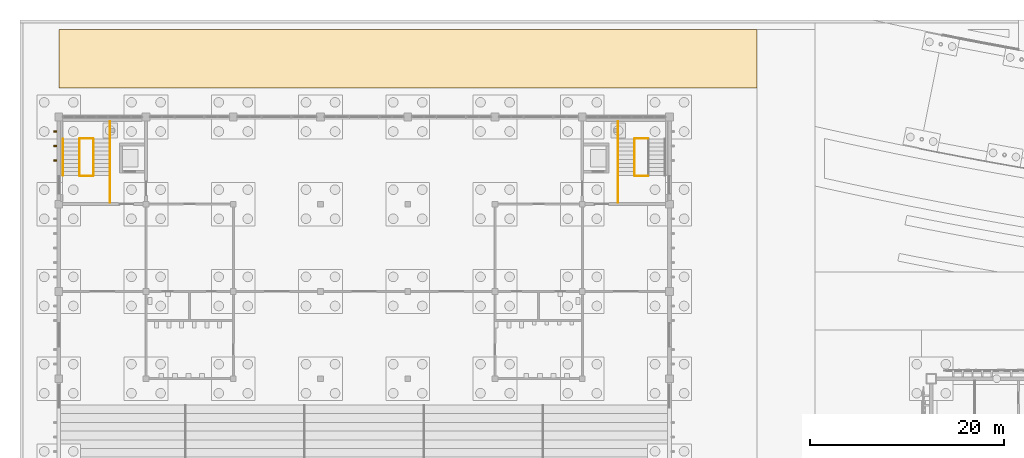
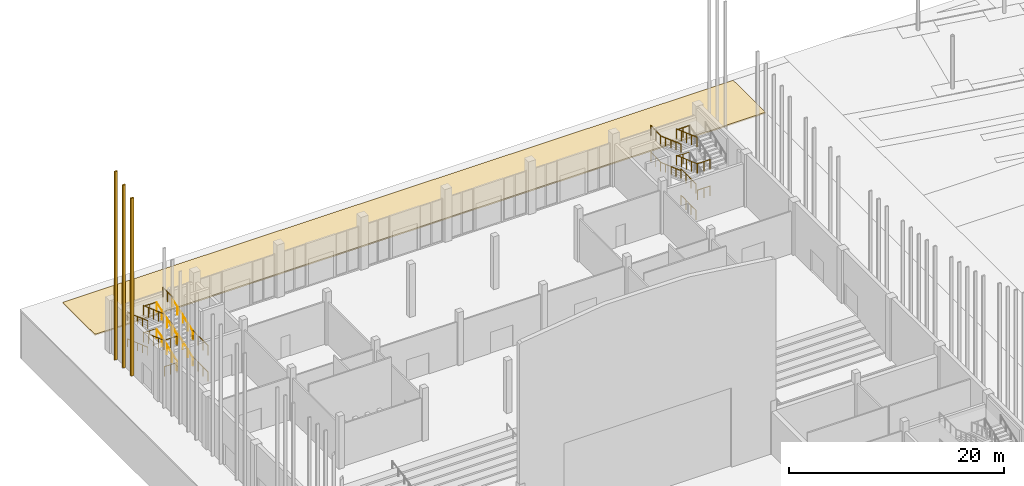
# One storey, part 167 of 198: 28 railings, 4 coverings.
"""IFC4 building model written with IfcOpenShell, lengths in metres."""

from ifc_helpers import new_model, si_unit, direction, frame, origin, origin_2d, place, context, subcontext, project, spatial, polyline, rectangle, circle, outline, extrude, material, layer, layer_set, constituent, constituent_set, type_object, element, save


model = new_model("IFC4")

# Units and contexts
model_context = context("Model", 3, precision=1e-05, world=origin(), true_north=direction((0.0, 1.0)))
body_context = subcontext(model_context, "Body", "Model", "MODEL_VIEW")
ifc_project = project(units=[si_unit("LENGTHUNIT", "METRE"), si_unit("AREAUNIT", "SQUARE_METRE"), si_unit("VOLUMEUNIT", "CUBIC_METRE"), si_unit("PLANEANGLEUNIT", "RADIAN"), si_unit("MASSUNIT", "GRAM", prefix="KILO")], contexts=[model_context])

# Site, building, storey
site_placement = place(None, origin())
site = spatial("IfcSite", under=ifc_project, at=site_placement, CompositionType="ELEMENT")
building_placement = place(site_placement, origin())
building = spatial("IfcBuilding", under=site, at=building_placement, Name="Opaline Strait Convention Centre", CompositionType="ELEMENT")
storey_placement = place(building_placement, origin())
storey = spatial("IfcBuildingStorey", under=building, at=storey_placement, Name="L00", CompositionType="ELEMENT", Elevation=0.0)

# Coverings
ifc_material_1 = material(Name="Concrete C30 red oxide", Category="concrete")
ifc_layer_1 = layer(ifc_material_1, 0.14990234375)
ifc_layer_set_1 = layer_set([ifc_layer_1], Name="Concrete C30 red oxide")
covering_type_1 = type_object("IfcCoveringType", Name="Fire lane concrete paving 150 C30", PredefinedType="FLOORING", material=ifc_layer_set_1)
covering_1_placement = place(storey_placement, frame((0.0, 0.0, -0.14990234375)))
element("IfcCovering", 1, at=covering_1_placement, inside=storey, type_object=covering_type_1, Name="External Fire Appliance Lane Plenary North surfacing", PredefinedType="FLOORING", context=body_context, shape_type="SweptSolid", body=[
    extrude(outline(polyline([(81.0, 189.0), (9.0, 189.0), (9.0, 183.0), (81.0, 183.0), (81.0, 189.0)])), origin(), (0.0, 0.0, 1.0), 0.14990234375),
])
ifc_material_2 = material(Name="Glass fibre reinforced concrete, white", Category="concrete")
ifc_layer_2 = layer(ifc_material_2, 0.300048828125)
ifc_layer_set_2 = layer_set([ifc_layer_2], Name="Glass fibre reinforced concrete, white")
covering_type_2 = type_object("IfcCoveringType", Name="GRC rib 150 x 300", PredefinedType="CLADDING", material=ifc_layer_set_2)
covering_2_placement = place(storey_placement, frame((8.64990234375, 175.5, 0.0), z_axis=(0.0, 0.0, 1.0), x_axis=(1.0, 0.0, 0.0)))
element("IfcCovering", 2, at=covering_2_placement, inside=storey, type_object=covering_type_2, Name="PX1 rib west 39", PredefinedType="CLADDING", context=body_context, shape_type="SweptSolid", body=[
    extrude(rectangle(XDim=0.300048828125, YDim=0.14990234375, at=origin_2d()), origin(), (0.0, 0.0, 1.0), 20.182861328125),
])
covering_3_placement = place(storey_placement, frame((8.64990234375, 177.0, 0.0), z_axis=(0.0, 0.0, 1.0), x_axis=(1.0, 0.0, 0.0)))
element("IfcCovering", 3, at=covering_3_placement, inside=storey, type_object=covering_type_2, Name="PX1 rib west 40", PredefinedType="CLADDING", context=body_context, shape_type="SweptSolid", body=[
    extrude(rectangle(XDim=0.300048828125, YDim=0.14990234375, at=origin_2d()), origin(), (0.0, 0.0, 1.0), 20.770263671875),
])
covering_4_placement = place(storey_placement, frame((8.64990234375, 178.5, 0.0), z_axis=(0.0, 0.0, 1.0), x_axis=(1.0, 0.0, 0.0)))
element("IfcCovering", 4, at=covering_4_placement, inside=storey, type_object=covering_type_2, Name="PX1 rib west 41", PredefinedType="CLADDING", context=body_context, shape_type="SweptSolid", body=[
    extrude(rectangle(XDim=0.300048828125, YDim=0.14990234375, at=origin_2d()), origin(), (0.0, 0.0, 1.0), 21.38916015625),
])

# Railings
ifc_material_3 = material(Name="Steel Q355B", Category="steel")
ifc_constituent_1 = constituent(ifc_material_3, Name="Frame")
ifc_material_4 = material(Name="Safety glass, bonded interlayer", Category="glass")
ifc_constituent_2 = constituent(ifc_material_4, Name="Infill")
ifc_constituent_set = constituent_set(constituents=[ifc_constituent_1, ifc_constituent_2], Name="Steel Q355B, Safety glass, bonded interlayer")
railing_type_1 = type_object("IfcRailingType", Name="Seating guard 1100 steel and glass", PredefinedType="GUARDRAIL", material=ifc_constituent_set)
railing_1_placement = place(storey_placement, frame((12.60009765625, 173.949951171875, 0.14990234375)))
element("IfcRailing", 5, at=railing_1_placement, inside=storey, type_object=railing_type_1, Name="L00 PSR3 stair guard 1", PredefinedType="GUARDRAIL", context=body_context, shape_type="SweptSolid", body=[
    extrude(circle(Radius=0.02392578125, at=origin_2d()), frame((0.0, 0.0, 1.076171875), z_axis=(0.0, 0.941735030876, 0.336355662388), x_axis=(-1.0, 0.0, 0.0)), (0.0, 0.0, 1.0), 4.013916015625),
    extrude(circle(Radius=0.02099609375, at=origin_2d()), origin(), (0.0, 0.0, 1.0), 1.052001953125),
    extrude(circle(Radius=0.02099609375, at=origin_2d()), frame((0.0, 0.945068359375, 0.33740234375)), (0.0, 0.0, 1.0), 1.052001953125),
    extrude(circle(Radius=0.02099609375, at=origin_2d()), frame((0.0, 1.89013671875, 0.675048828125)), (0.0, 0.0, 1.0), 1.052001953125),
    extrude(circle(Radius=0.02099609375, at=origin_2d()), frame((0.0, 2.8349609375, 1.0126953125)), (0.0, 0.0, 1.0), 1.052001953125),
    extrude(circle(Radius=0.02099609375, at=origin_2d()), frame((0.0, 3.780029296875, 1.35009765625)), (0.0, 0.0, 1.0), 1.052001953125),
])
railing_2_placement = place(storey_placement, frame((12.550048828125, 177.780029296875, 1.5)))
element("IfcRailing", 6, at=railing_2_placement, inside=storey, type_object=railing_type_1, Name="L00 PSR3 stair guard 2", PredefinedType="GUARDRAIL", context=body_context, shape_type="SweptSolid", body=[
    extrude(circle(Radius=0.02392578125, at=origin_2d()), frame((0.0, 0.0, 1.076171875), z_axis=(-1.0, 0.0, 0.0), x_axis=(0.0, -1.0, 0.0)), (0.0, 0.0, 1.0), 1.35009765625),
    extrude(circle(Radius=0.02099609375, at=origin_2d()), origin(), (0.0, 0.0, 1.0), 1.052001953125),
    extrude(circle(Radius=0.02099609375, at=origin_2d()), frame((-0.675048828125, 0.0, 0.0)), (0.0, 0.0, 1.0), 1.052001953125),
    extrude(circle(Radius=0.02099609375, at=origin_2d()), frame((-1.35009765625, 0.0, 0.0)), (0.0, 0.0, 1.0), 1.052001953125),
])
railing_3_placement = place(storey_placement, frame((14.300048828125, 177.72998046875, 1.5)))
element("IfcRailing", 7, at=railing_3_placement, inside=storey, type_object=railing_type_1, Name="L00 PSR3 stair guard 3", PredefinedType="GUARDRAIL", context=body_context, shape_type="SweptSolid", body=[
    extrude(circle(Radius=0.02392578125, at=origin_2d()), frame((0.0, 0.0, 1.076171875), z_axis=(0.0, 1.0, 0.0), x_axis=(-1.0, 0.0, 0.0)), (0.0, 0.0, 1.0), 1.820068359375),
    extrude(circle(Radius=0.02099609375, at=origin_2d()), origin(), (0.0, 0.0, 1.0), 1.052001953125),
    extrude(circle(Radius=0.02099609375, at=origin_2d()), frame((0.0, 0.91015625, 0.0)), (0.0, 0.0, 1.0), 1.052001953125),
    extrude(circle(Radius=0.02099609375, at=origin_2d()), frame((0.0, 1.820068359375, 0.0)), (0.0, 0.0, 1.0), 1.052001953125),
])
railing_4_placement = place(storey_placement, frame((11.14990234375, 177.72998046875, 1.64990234375)))
element("IfcRailing", 8, at=railing_4_placement, inside=storey, type_object=railing_type_1, Name="L00 PSR3 stair guard 4", PredefinedType="GUARDRAIL", context=body_context, shape_type="SweptSolid", body=[
    extrude(circle(Radius=0.02392578125, at=origin_2d()), frame((0.0, 0.0, 1.076171875), z_axis=(0.0, -0.941735030876, 0.336355662388), x_axis=(1.0, 0.0, 0.0)), (0.0, 0.0, 1.0), 4.013916015625),
    extrude(circle(Radius=0.02099609375, at=origin_2d()), origin(), (0.0, 0.0, 1.0), 1.052001953125),
    extrude(circle(Radius=0.02099609375, at=origin_2d()), frame((0.0, -0.945068359375, 0.33740234375)), (0.0, 0.0, 1.0), 1.052001953125),
    extrude(circle(Radius=0.02099609375, at=origin_2d()), frame((0.0, -1.89013671875, 0.675048828125)), (0.0, 0.0, 1.0), 1.052001953125),
    extrude(circle(Radius=0.02099609375, at=origin_2d()), frame((0.0, -2.8349609375, 1.0126953125)), (0.0, 0.0, 1.0), 1.052001953125),
    extrude(circle(Radius=0.02099609375, at=origin_2d()), frame((0.0, -3.780029296875, 1.35009765625)), (0.0, 0.0, 1.0), 1.052001953125),
])
railing_5_placement = place(storey_placement, frame((12.550048828125, 173.89990234375, 3.0)))
element("IfcRailing", 9, at=railing_5_placement, inside=storey, type_object=railing_type_1, Name="L00 PSR3 stair guard 5", PredefinedType="GUARDRAIL", context=body_context, shape_type="SweptSolid", body=[
    extrude(circle(Radius=0.02392578125, at=origin_2d()), frame((0.0, 0.0, 1.076171875), z_axis=(-1.0, 0.0, 0.0), x_axis=(0.0, -1.0, 0.0)), (0.0, 0.0, 1.0), 1.35009765625),
    extrude(circle(Radius=0.02099609375, at=origin_2d()), origin(), (0.0, 0.0, 1.0), 1.052001953125),
    extrude(circle(Radius=0.02099609375, at=origin_2d()), frame((-0.675048828125, 0.0, 0.0)), (0.0, 0.0, 1.0), 1.052001953125),
    extrude(circle(Radius=0.02099609375, at=origin_2d()), frame((-1.35009765625, 0.0, 0.0)), (0.0, 0.0, 1.0), 1.052001953125),
])
railing_6_placement = place(storey_placement, frame((14.300048828125, 171.14990234375, 3.0)))
element("IfcRailing", 10, at=railing_6_placement, inside=storey, type_object=railing_type_1, Name="L00 PSR3 stair guard 6", PredefinedType="GUARDRAIL", context=body_context, shape_type="SweptSolid", body=[
    extrude(circle(Radius=0.02392578125, at=origin_2d()), frame((0.0, 0.0, 1.076171875), z_axis=(0.0, 1.0, 0.0), x_axis=(-1.0, 0.0, 0.0)), (0.0, 0.0, 1.0), 2.800048828125),
    extrude(circle(Radius=0.02099609375, at=origin_2d()), origin(), (0.0, 0.0, 1.0), 1.052001953125),
    extrude(circle(Radius=0.02099609375, at=origin_2d()), frame((0.0, 0.933349609375, 0.0)), (0.0, 0.0, 1.0), 1.052001953125),
    extrude(circle(Radius=0.02099609375, at=origin_2d()), frame((0.0, 1.86669921875, 0.0)), (0.0, 0.0, 1.0), 1.052001953125),
    extrude(circle(Radius=0.02099609375, at=origin_2d()), frame((0.0, 2.800048828125, 0.0)), (0.0, 0.0, 1.0), 1.052001953125),
])
railing_7_placement = place(storey_placement, frame((12.60009765625, 173.949951171875, 3.14990234375)))
element("IfcRailing", 11, at=railing_7_placement, inside=storey, type_object=railing_type_1, Name="L00 PSR3 stair guard 7", PredefinedType="GUARDRAIL", context=body_context, shape_type="SweptSolid", body=[
    extrude(circle(Radius=0.02392578125, at=origin_2d()), frame((0.0, 0.0, 1.076171875), z_axis=(0.0, 0.941735030876, 0.336355662388), x_axis=(-1.0, 0.0, 0.0)), (0.0, 0.0, 1.0), 4.013916015625),
    extrude(circle(Radius=0.02099609375, at=origin_2d()), origin(), (0.0, 0.0, 1.0), 1.052001953125),
    extrude(circle(Radius=0.02099609375, at=origin_2d()), frame((0.0, 0.945068359375, 0.33740234375)), (0.0, 0.0, 1.0), 1.052001953125),
    extrude(circle(Radius=0.02099609375, at=origin_2d()), frame((0.0, 1.89013671875, 0.675048828125)), (0.0, 0.0, 1.0), 1.052001953125),
    extrude(circle(Radius=0.02099609375, at=origin_2d()), frame((0.0, 2.8349609375, 1.0126953125)), (0.0, 0.0, 1.0), 1.052001953125),
    extrude(circle(Radius=0.02099609375, at=origin_2d()), frame((0.0, 3.780029296875, 1.35009765625)), (0.0, 0.0, 1.0), 1.052001953125),
])
railing_8_placement = place(storey_placement, frame((12.550048828125, 177.780029296875, 4.5)))
element("IfcRailing", 12, at=railing_8_placement, inside=storey, type_object=railing_type_1, Name="L00 PSR3 stair guard 8", PredefinedType="GUARDRAIL", context=body_context, shape_type="SweptSolid", body=[
    extrude(circle(Radius=0.02392578125, at=origin_2d()), frame((0.0, 0.0, 1.076171875), z_axis=(-1.0, 0.0, 0.0), x_axis=(0.0, -1.0, 0.0)), (0.0, 0.0, 1.0), 1.35009765625),
    extrude(circle(Radius=0.02099609375, at=origin_2d()), origin(), (0.0, 0.0, 1.0), 1.052001953125),
    extrude(circle(Radius=0.02099609375, at=origin_2d()), frame((-0.675048828125, 0.0, 0.0)), (0.0, 0.0, 1.0), 1.052001953125),
    extrude(circle(Radius=0.02099609375, at=origin_2d()), frame((-1.35009765625, 0.0, 0.0)), (0.0, 0.0, 1.0), 1.052001953125),
])
railing_9_placement = place(storey_placement, frame((14.300048828125, 177.72998046875, 4.5)))
element("IfcRailing", 13, at=railing_9_placement, inside=storey, type_object=railing_type_1, Name="L00 PSR3 stair guard 9", PredefinedType="GUARDRAIL", context=body_context, shape_type="SweptSolid", body=[
    extrude(circle(Radius=0.02392578125, at=origin_2d()), frame((0.0, 0.0, 1.076171875), z_axis=(0.0, 1.0, 0.0), x_axis=(-1.0, 0.0, 0.0)), (0.0, 0.0, 1.0), 1.820068359375),
    extrude(circle(Radius=0.02099609375, at=origin_2d()), origin(), (0.0, 0.0, 1.0), 1.052001953125),
    extrude(circle(Radius=0.02099609375, at=origin_2d()), frame((0.0, 0.91015625, 0.0)), (0.0, 0.0, 1.0), 1.052001953125),
    extrude(circle(Radius=0.02099609375, at=origin_2d()), frame((0.0, 1.820068359375, 0.0)), (0.0, 0.0, 1.0), 1.052001953125),
])
railing_10_placement = place(storey_placement, frame((11.14990234375, 177.72998046875, 4.64990234375)))
element("IfcRailing", 14, at=railing_10_placement, inside=storey, type_object=railing_type_1, Name="L00 PSR3 stair guard 10", PredefinedType="GUARDRAIL", context=body_context, shape_type="SweptSolid", body=[
    extrude(circle(Radius=0.02392578125, at=origin_2d()), frame((0.0, 0.0, 1.076171875), z_axis=(0.0, -0.941735030876, 0.336355662388), x_axis=(1.0, 0.0, 0.0)), (0.0, 0.0, 1.0), 4.013916015625),
    extrude(circle(Radius=0.02099609375, at=origin_2d()), origin(), (0.0, 0.0, 1.0), 1.052001953125),
    extrude(circle(Radius=0.02099609375, at=origin_2d()), frame((0.0, -0.945068359375, 0.33740234375)), (0.0, 0.0, 1.0), 1.052001953125),
    extrude(circle(Radius=0.02099609375, at=origin_2d()), frame((0.0, -1.89013671875, 0.675048828125)), (0.0, 0.0, 1.0), 1.052001953125),
    extrude(circle(Radius=0.02099609375, at=origin_2d()), frame((0.0, -2.8349609375, 1.0126953125)), (0.0, 0.0, 1.0), 1.052001953125),
    extrude(circle(Radius=0.02099609375, at=origin_2d()), frame((0.0, -3.780029296875, 1.35009765625)), (0.0, 0.0, 1.0), 1.052001953125),
])
railing_11_placement = place(storey_placement, frame((12.550048828125, 173.89990234375, 0.0)))
element("IfcRailing", 15, at=railing_11_placement, inside=storey, type_object=railing_type_1, Name="L00 PSR3 stair guard 11", PredefinedType="GUARDRAIL", context=body_context, shape_type="SweptSolid", body=[
    extrude(circle(Radius=0.02392578125, at=origin_2d()), frame((0.0, 0.0, 1.076171875), z_axis=(-1.0, 0.0, 0.0), x_axis=(0.0, -1.0, 0.0)), (0.0, 0.0, 1.0), 1.35009765625),
    extrude(circle(Radius=0.02099609375, at=origin_2d()), origin(), (0.0, 0.0, 1.0), 1.052001953125),
    extrude(circle(Radius=0.02099609375, at=origin_2d()), frame((-0.675048828125, 0.0, 0.0)), (0.0, 0.0, 1.0), 1.052001953125),
    extrude(circle(Radius=0.02099609375, at=origin_2d()), frame((-1.35009765625, 0.0, 0.0)), (0.0, 0.0, 1.0), 1.052001953125),
])
railing_12_placement = place(storey_placement, frame((14.300048828125, 171.14990234375, 0.0)))
element("IfcRailing", 16, at=railing_12_placement, inside=storey, type_object=railing_type_1, Name="L00 PSR3 stair guard 12", PredefinedType="GUARDRAIL", context=body_context, shape_type="SweptSolid", body=[
    extrude(circle(Radius=0.02392578125, at=origin_2d()), frame((0.0, 0.0, 1.076171875), z_axis=(0.0, 1.0, 0.0), x_axis=(-1.0, 0.0, 0.0)), (0.0, 0.0, 1.0), 2.800048828125),
    extrude(circle(Radius=0.02099609375, at=origin_2d()), origin(), (0.0, 0.0, 1.0), 1.052001953125),
    extrude(circle(Radius=0.02099609375, at=origin_2d()), frame((0.0, 0.933349609375, 0.0)), (0.0, 0.0, 1.0), 1.052001953125),
    extrude(circle(Radius=0.02099609375, at=origin_2d()), frame((0.0, 1.86669921875, 0.0)), (0.0, 0.0, 1.0), 1.052001953125),
    extrude(circle(Radius=0.02099609375, at=origin_2d()), frame((0.0, 2.800048828125, 0.0)), (0.0, 0.0, 1.0), 1.052001953125),
])
railing_13_placement = place(storey_placement, frame((69.800048828125, 177.780029296875, 1.5)))
element("IfcRailing", 17, at=railing_13_placement, inside=storey, type_object=railing_type_1, Name="L00 PSR4 stair guard 2", PredefinedType="GUARDRAIL", context=body_context, shape_type="SweptSolid", body=[
    extrude(circle(Radius=0.02392578125, at=origin_2d()), frame((0.0, 0.0, 1.076171875), z_axis=(-1.0, 0.0, 0.0), x_axis=(0.0, -1.0, 0.0)), (0.0, 0.0, 1.0), 1.35009765625),
    extrude(circle(Radius=0.02099609375, at=origin_2d()), origin(), (0.0, 0.0, 1.0), 1.052001953125),
    extrude(circle(Radius=0.02099609375, at=origin_2d()), frame((-0.675048828125, 0.0, 0.0)), (0.0, 0.0, 1.0), 1.052001953125),
    extrude(circle(Radius=0.02099609375, at=origin_2d()), frame((-1.35009765625, 0.0, 0.0)), (0.0, 0.0, 1.0), 1.052001953125),
])
railing_14_placement = place(storey_placement, frame((66.699951171875, 177.72998046875, 1.5)))
element("IfcRailing", 18, at=railing_14_placement, inside=storey, type_object=railing_type_1, Name="L00 PSR4 stair guard 3", PredefinedType="GUARDRAIL", context=body_context, shape_type="SweptSolid", body=[
    extrude(circle(Radius=0.02392578125, at=origin_2d()), frame((0.0, 0.0, 1.076171875), z_axis=(0.0, 1.0, 0.0), x_axis=(-1.0, 0.0, 0.0)), (0.0, 0.0, 1.0), 1.820068359375),
    extrude(circle(Radius=0.02099609375, at=origin_2d()), origin(), (0.0, 0.0, 1.0), 1.052001953125),
    extrude(circle(Radius=0.02099609375, at=origin_2d()), frame((0.0, 0.91015625, 0.0)), (0.0, 0.0, 1.0), 1.052001953125),
    extrude(circle(Radius=0.02099609375, at=origin_2d()), frame((0.0, 1.820068359375, 0.0)), (0.0, 0.0, 1.0), 1.052001953125),
])
railing_15_placement = place(storey_placement, frame((68.39990234375, 177.72998046875, 1.64990234375)))
element("IfcRailing", 19, at=railing_15_placement, inside=storey, type_object=railing_type_1, Name="L00 PSR4 stair guard 4", PredefinedType="GUARDRAIL", context=body_context, shape_type="SweptSolid", body=[
    extrude(circle(Radius=0.02392578125, at=origin_2d()), frame((0.0, 0.0, 1.076171875), z_axis=(0.0, -0.941735030876, 0.336355662388), x_axis=(1.0, 0.0, 0.0)), (0.0, 0.0, 1.0), 4.013916015625),
    extrude(circle(Radius=0.02099609375, at=origin_2d()), origin(), (0.0, 0.0, 1.0), 1.052001953125),
    extrude(circle(Radius=0.02099609375, at=origin_2d()), frame((0.0, -0.945068359375, 0.33740234375)), (0.0, 0.0, 1.0), 1.052001953125),
    extrude(circle(Radius=0.02099609375, at=origin_2d()), frame((0.0, -1.89013671875, 0.675048828125)), (0.0, 0.0, 1.0), 1.052001953125),
    extrude(circle(Radius=0.02099609375, at=origin_2d()), frame((0.0, -2.8349609375, 1.0126953125)), (0.0, 0.0, 1.0), 1.052001953125),
    extrude(circle(Radius=0.02099609375, at=origin_2d()), frame((0.0, -3.780029296875, 1.35009765625)), (0.0, 0.0, 1.0), 1.052001953125),
])
railing_16_placement = place(storey_placement, frame((69.800048828125, 173.89990234375, 3.0)))
element("IfcRailing", 20, at=railing_16_placement, inside=storey, type_object=railing_type_1, Name="L00 PSR4 stair guard 5", PredefinedType="GUARDRAIL", context=body_context, shape_type="SweptSolid", body=[
    extrude(circle(Radius=0.02392578125, at=origin_2d()), frame((0.0, 0.0, 1.076171875), z_axis=(-1.0, 0.0, 0.0), x_axis=(0.0, -1.0, 0.0)), (0.0, 0.0, 1.0), 1.35009765625),
    extrude(circle(Radius=0.02099609375, at=origin_2d()), origin(), (0.0, 0.0, 1.0), 1.052001953125),
    extrude(circle(Radius=0.02099609375, at=origin_2d()), frame((-0.675048828125, 0.0, 0.0)), (0.0, 0.0, 1.0), 1.052001953125),
    extrude(circle(Radius=0.02099609375, at=origin_2d()), frame((-1.35009765625, 0.0, 0.0)), (0.0, 0.0, 1.0), 1.052001953125),
])
railing_17_placement = place(storey_placement, frame((66.699951171875, 171.14990234375, 3.0)))
element("IfcRailing", 21, at=railing_17_placement, inside=storey, type_object=railing_type_1, Name="L00 PSR4 stair guard 6", PredefinedType="GUARDRAIL", context=body_context, shape_type="SweptSolid", body=[
    extrude(circle(Radius=0.02392578125, at=origin_2d()), frame((0.0, 0.0, 1.076171875), z_axis=(0.0, 1.0, 0.0), x_axis=(-1.0, 0.0, 0.0)), (0.0, 0.0, 1.0), 2.800048828125),
    extrude(circle(Radius=0.02099609375, at=origin_2d()), origin(), (0.0, 0.0, 1.0), 1.052001953125),
    extrude(circle(Radius=0.02099609375, at=origin_2d()), frame((0.0, 0.933349609375, 0.0)), (0.0, 0.0, 1.0), 1.052001953125),
    extrude(circle(Radius=0.02099609375, at=origin_2d()), frame((0.0, 1.86669921875, 0.0)), (0.0, 0.0, 1.0), 1.052001953125),
    extrude(circle(Radius=0.02099609375, at=origin_2d()), frame((0.0, 2.800048828125, 0.0)), (0.0, 0.0, 1.0), 1.052001953125),
])
railing_18_placement = place(storey_placement, frame((69.800048828125, 177.780029296875, 4.5)))
element("IfcRailing", 22, at=railing_18_placement, inside=storey, type_object=railing_type_1, Name="L00 PSR4 stair guard 8", PredefinedType="GUARDRAIL", context=body_context, shape_type="SweptSolid", body=[
    extrude(circle(Radius=0.02392578125, at=origin_2d()), frame((0.0, 0.0, 1.076171875), z_axis=(-1.0, 0.0, 0.0), x_axis=(0.0, -1.0, 0.0)), (0.0, 0.0, 1.0), 1.35009765625),
    extrude(circle(Radius=0.02099609375, at=origin_2d()), origin(), (0.0, 0.0, 1.0), 1.052001953125),
    extrude(circle(Radius=0.02099609375, at=origin_2d()), frame((-0.675048828125, 0.0, 0.0)), (0.0, 0.0, 1.0), 1.052001953125),
    extrude(circle(Radius=0.02099609375, at=origin_2d()), frame((-1.35009765625, 0.0, 0.0)), (0.0, 0.0, 1.0), 1.052001953125),
])
railing_19_placement = place(storey_placement, frame((66.699951171875, 177.72998046875, 4.5)))
element("IfcRailing", 23, at=railing_19_placement, inside=storey, type_object=railing_type_1, Name="L00 PSR4 stair guard 9", PredefinedType="GUARDRAIL", context=body_context, shape_type="SweptSolid", body=[
    extrude(circle(Radius=0.02392578125, at=origin_2d()), frame((0.0, 0.0, 1.076171875), z_axis=(0.0, 1.0, 0.0), x_axis=(-1.0, 0.0, 0.0)), (0.0, 0.0, 1.0), 1.820068359375),
    extrude(circle(Radius=0.02099609375, at=origin_2d()), origin(), (0.0, 0.0, 1.0), 1.052001953125),
    extrude(circle(Radius=0.02099609375, at=origin_2d()), frame((0.0, 0.91015625, 0.0)), (0.0, 0.0, 1.0), 1.052001953125),
    extrude(circle(Radius=0.02099609375, at=origin_2d()), frame((0.0, 1.820068359375, 0.0)), (0.0, 0.0, 1.0), 1.052001953125),
])
railing_20_placement = place(storey_placement, frame((68.39990234375, 177.72998046875, 4.64990234375)))
element("IfcRailing", 24, at=railing_20_placement, inside=storey, type_object=railing_type_1, Name="L00 PSR4 stair guard 10", PredefinedType="GUARDRAIL", context=body_context, shape_type="SweptSolid", body=[
    extrude(circle(Radius=0.02392578125, at=origin_2d()), frame((0.0, 0.0, 1.076171875), z_axis=(0.0, -0.941735030876, 0.336355662388), x_axis=(1.0, 0.0, 0.0)), (0.0, 0.0, 1.0), 4.013916015625),
    extrude(circle(Radius=0.02099609375, at=origin_2d()), origin(), (0.0, 0.0, 1.0), 1.052001953125),
    extrude(circle(Radius=0.02099609375, at=origin_2d()), frame((0.0, -0.945068359375, 0.33740234375)), (0.0, 0.0, 1.0), 1.052001953125),
    extrude(circle(Radius=0.02099609375, at=origin_2d()), frame((0.0, -1.89013671875, 0.675048828125)), (0.0, 0.0, 1.0), 1.052001953125),
    extrude(circle(Radius=0.02099609375, at=origin_2d()), frame((0.0, -2.8349609375, 1.0126953125)), (0.0, 0.0, 1.0), 1.052001953125),
    extrude(circle(Radius=0.02099609375, at=origin_2d()), frame((0.0, -3.780029296875, 1.35009765625)), (0.0, 0.0, 1.0), 1.052001953125),
])
railing_21_placement = place(storey_placement, frame((69.800048828125, 173.89990234375, 0.0)))
element("IfcRailing", 25, at=railing_21_placement, inside=storey, type_object=railing_type_1, Name="L00 PSR4 stair guard 11", PredefinedType="GUARDRAIL", context=body_context, shape_type="SweptSolid", body=[
    extrude(circle(Radius=0.02392578125, at=origin_2d()), frame((0.0, 0.0, 1.076171875), z_axis=(-1.0, 0.0, 0.0), x_axis=(0.0, -1.0, 0.0)), (0.0, 0.0, 1.0), 1.35009765625),
    extrude(circle(Radius=0.02099609375, at=origin_2d()), origin(), (0.0, 0.0, 1.0), 1.052001953125),
    extrude(circle(Radius=0.02099609375, at=origin_2d()), frame((-0.675048828125, 0.0, 0.0)), (0.0, 0.0, 1.0), 1.052001953125),
    extrude(circle(Radius=0.02099609375, at=origin_2d()), frame((-1.35009765625, 0.0, 0.0)), (0.0, 0.0, 1.0), 1.052001953125),
])
railing_22_placement = place(storey_placement, frame((66.699951171875, 171.14990234375, 0.0)))
element("IfcRailing", 26, at=railing_22_placement, inside=storey, type_object=railing_type_1, Name="L00 PSR4 stair guard 12", PredefinedType="GUARDRAIL", context=body_context, shape_type="SweptSolid", body=[
    extrude(circle(Radius=0.02392578125, at=origin_2d()), frame((0.0, 0.0, 1.076171875), z_axis=(0.0, 1.0, 0.0), x_axis=(-1.0, 0.0, 0.0)), (0.0, 0.0, 1.0), 2.800048828125),
    extrude(circle(Radius=0.02099609375, at=origin_2d()), origin(), (0.0, 0.0, 1.0), 1.052001953125),
    extrude(circle(Radius=0.02099609375, at=origin_2d()), frame((0.0, 0.933349609375, 0.0)), (0.0, 0.0, 1.0), 1.052001953125),
    extrude(circle(Radius=0.02099609375, at=origin_2d()), frame((0.0, 1.86669921875, 0.0)), (0.0, 0.0, 1.0), 1.052001953125),
    extrude(circle(Radius=0.02099609375, at=origin_2d()), frame((0.0, 2.800048828125, 0.0)), (0.0, 0.0, 1.0), 1.052001953125),
])
ifc_material_5 = material(Name="Stainless steel 304", Category="steel")
railing_type_2 = type_object("IfcRailingType", Name="Stair handrail 900", PredefinedType="HANDRAIL", material=ifc_material_5)
railing_23_placement = place(storey_placement, frame((14.300048828125, 173.949951171875, 0.14990234375)))
element("IfcRailing", 27, at=railing_23_placement, inside=storey, type_object=railing_type_2, Name="L00 PSR3 stair handrail 1", PredefinedType="HANDRAIL", context=body_context, shape_type="SweptSolid", body=[
    extrude(circle(Radius=0.02392578125, at=origin_2d()), frame((0.0, 0.0, 0.8759765625), z_axis=(0.0, 0.941735030876, 0.336355662388), x_axis=(-1.0, 0.0, 0.0)), (0.0, 0.0, 1.0), 4.013916015625),
    extrude(circle(Radius=0.02099609375, at=origin_2d()), origin(), (0.0, 0.0, 1.0), 0.851806640625),
    extrude(circle(Radius=0.02099609375, at=origin_2d()), frame((0.0, 0.945068359375, 0.33740234375)), (0.0, 0.0, 1.0), 0.851806640625),
    extrude(circle(Radius=0.02099609375, at=origin_2d()), frame((0.0, 1.89013671875, 0.675048828125)), (0.0, 0.0, 1.0), 0.851806640625),
    extrude(circle(Radius=0.02099609375, at=origin_2d()), frame((0.0, 2.8349609375, 1.0126953125)), (0.0, 0.0, 1.0), 0.851806640625),
    extrude(circle(Radius=0.02099609375, at=origin_2d()), frame((0.0, 3.780029296875, 1.35009765625)), (0.0, 0.0, 1.0), 0.851806640625),
])
railing_24_placement = place(storey_placement, frame((9.449951171875, 177.72998046875, 1.64990234375)))
element("IfcRailing", 28, at=railing_24_placement, inside=storey, type_object=railing_type_2, Name="L00 PSR3 stair handrail 2", PredefinedType="HANDRAIL", context=body_context, shape_type="SweptSolid", body=[
    extrude(circle(Radius=0.02392578125, at=origin_2d()), frame((0.0, 0.0, 0.8759765625), z_axis=(0.0, -0.941735030876, 0.336355662388), x_axis=(1.0, 0.0, 0.0)), (0.0, 0.0, 1.0), 4.013916015625),
    extrude(circle(Radius=0.02099609375, at=origin_2d()), origin(), (0.0, 0.0, 1.0), 0.851806640625),
    extrude(circle(Radius=0.02099609375, at=origin_2d()), frame((0.0, -0.945068359375, 0.33740234375)), (0.0, 0.0, 1.0), 0.851806640625),
    extrude(circle(Radius=0.02099609375, at=origin_2d()), frame((0.0, -1.89013671875, 0.675048828125)), (0.0, 0.0, 1.0), 0.851806640625),
    extrude(circle(Radius=0.02099609375, at=origin_2d()), frame((0.0, -2.8349609375, 1.0126953125)), (0.0, 0.0, 1.0), 0.851806640625),
    extrude(circle(Radius=0.02099609375, at=origin_2d()), frame((0.0, -3.780029296875, 1.35009765625)), (0.0, 0.0, 1.0), 0.851806640625),
])
railing_25_placement = place(storey_placement, frame((14.300048828125, 173.949951171875, 3.14990234375)))
element("IfcRailing", 29, at=railing_25_placement, inside=storey, type_object=railing_type_2, Name="L00 PSR3 stair handrail 3", PredefinedType="HANDRAIL", context=body_context, shape_type="SweptSolid", body=[
    extrude(circle(Radius=0.02392578125, at=origin_2d()), frame((0.0, 0.0, 0.8759765625), z_axis=(0.0, 0.941735030876, 0.336355662388), x_axis=(-1.0, 0.0, 0.0)), (0.0, 0.0, 1.0), 4.013916015625),
    extrude(circle(Radius=0.02099609375, at=origin_2d()), origin(), (0.0, 0.0, 1.0), 0.851806640625),
    extrude(circle(Radius=0.02099609375, at=origin_2d()), frame((0.0, 0.945068359375, 0.33740234375)), (0.0, 0.0, 1.0), 0.851806640625),
    extrude(circle(Radius=0.02099609375, at=origin_2d()), frame((0.0, 1.89013671875, 0.675048828125)), (0.0, 0.0, 1.0), 0.851806640625),
    extrude(circle(Radius=0.02099609375, at=origin_2d()), frame((0.0, 2.8349609375, 1.0126953125)), (0.0, 0.0, 1.0), 0.851806640625),
    extrude(circle(Radius=0.02099609375, at=origin_2d()), frame((0.0, 3.780029296875, 1.35009765625)), (0.0, 0.0, 1.0), 0.851806640625),
])
for number, where, name in (
    (30, (9.449951171875, 177.72998046875, 4.64990234375), "L00 PSR3 stair handrail 4"),
    (31, (66.699951171875, 177.72998046875, 1.64990234375), "L00 PSR4 stair handrail 2"),
    (32, (66.699951171875, 177.72998046875, 4.64990234375), "L00 PSR4 stair handrail 4"),
):
    element("IfcRailing", number, at=place(storey_placement, frame(where)), inside=storey, type_object=railing_type_2, Name=name, PredefinedType="HANDRAIL", context=body_context, shape_type="SweptSolid", body=[
        extrude(circle(Radius=0.02392578125, at=origin_2d()), frame((0.0, 0.0, 0.8759765625), z_axis=(0.0, -0.941735030876, 0.336355662388), x_axis=(1.0, 0.0, 0.0)), (0.0, 0.0, 1.0), 4.013916015625),
        extrude(circle(Radius=0.02099609375, at=origin_2d()), origin(), (0.0, 0.0, 1.0), 0.851806640625),
        extrude(circle(Radius=0.02099609375, at=origin_2d()), frame((0.0, -0.945068359375, 0.33740234375)), (0.0, 0.0, 1.0), 0.851806640625),
        extrude(circle(Radius=0.02099609375, at=origin_2d()), frame((0.0, -1.89013671875, 0.675048828125)), (0.0, 0.0, 1.0), 0.851806640625),
        extrude(circle(Radius=0.02099609375, at=origin_2d()), frame((0.0, -2.8349609375, 1.0126953125)), (0.0, 0.0, 1.0), 0.851806640625),
        extrude(circle(Radius=0.02099609375, at=origin_2d()), frame((0.0, -3.780029296875, 1.35009765625)), (0.0, 0.0, 1.0), 0.851806640625),
    ])

save(model, "model.ifc")
